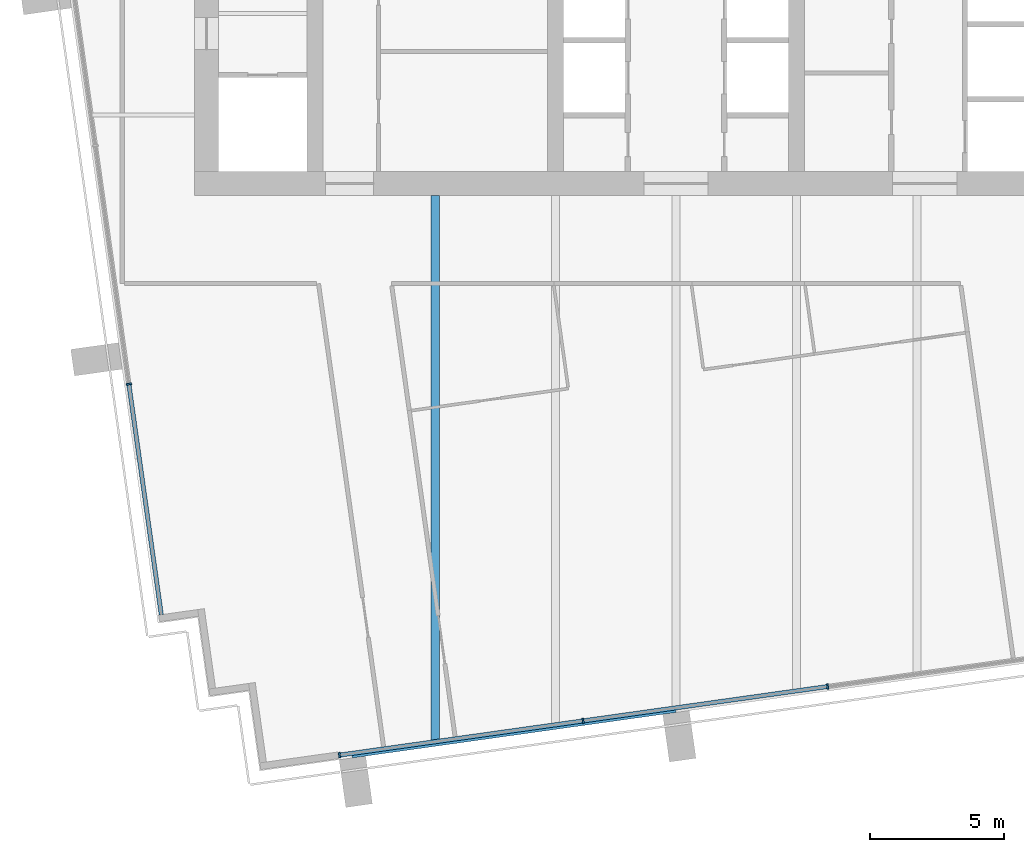
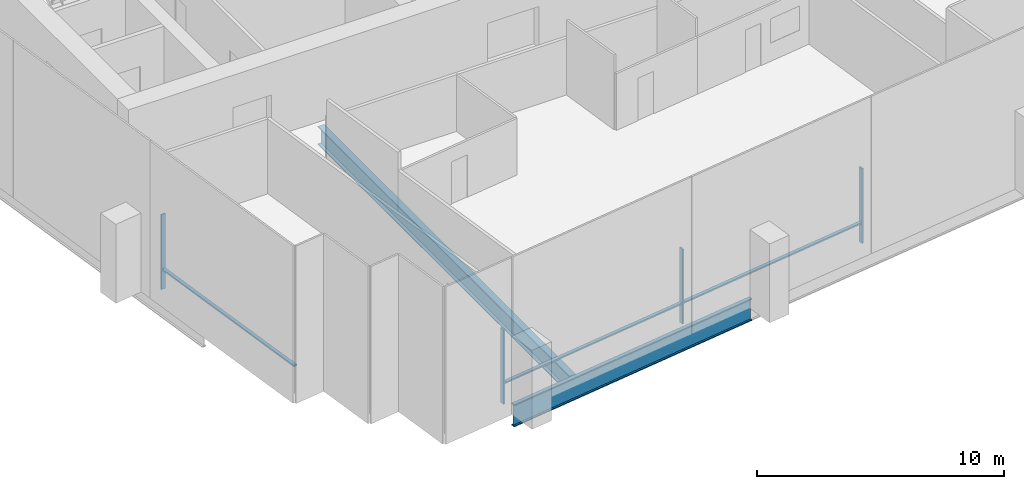
# One storey, part 2 of 17: 7 members, 2 beams, 2 elements without a shape of their own.
"""IFC4 building model written with IfcOpenShell, lengths in metres."""

from ifc_helpers import new_model, si_unit, direction, frame, origin, origin_2d, place, context, subcontext, project, spatial, rectangle, i_section, extrude, material, layer, layer_set, material_profile, profile_set, type_object, element, aggregate, save


model = new_model("IFC4")

# Units and contexts
model_context = context("Model", 3, precision=1e-05, world=origin(), true_north=direction((0.0, 1.0)))
body_context = subcontext(model_context, "Body", "Model", "MODEL_VIEW")
ifc_project = project(units=[si_unit("LENGTHUNIT", "METRE"), si_unit("AREAUNIT", "SQUARE_METRE"), si_unit("VOLUMEUNIT", "CUBIC_METRE"), si_unit("PLANEANGLEUNIT", "RADIAN"), si_unit("MASSUNIT", "GRAM", prefix="KILO")], contexts=[model_context])

# Site, building, storey
site_placement = place(None, origin())
site = spatial("IfcSite", under=ifc_project, at=site_placement, CompositionType="ELEMENT")
building_placement = place(site_placement, origin())
building = spatial("IfcBuilding", under=site, at=building_placement, Name="Rattan Terrace Tower", CompositionType="ELEMENT")
storey_placement = place(building_placement, frame((0.0, 0.0, 213.5)))
storey = spatial("IfcBuildingStorey", under=building, at=storey_placement, Name="L48", CompositionType="ELEMENT", Elevation=213.5)

# Beams
ifc_material_1 = material(Name="Steel S460", Category="steel")
ifc_material_profile_1 = material_profile(ifc_material_1, i_section(OverallWidth=0.179931640625, OverallDepth=1.10009765625, WebThickness=0.01611328125, FlangeThickness=0.050048828125, at=origin_2d()), Name="PG 1100x180-16-50")
ifc_profile_set_1 = profile_set([ifc_material_profile_1], Name="Steel S460")
beam_type_1 = type_object("IfcBeamType", Name="Frame edge girder PG 1100x180-16-50", PredefinedType="SPANDREL", material=ifc_profile_set_1)
beam_1_placement = place(storey_placement, frame((-12.10888671875, -28.43603515625, -0.75), z_axis=(0.990268332234, 0.139171226104, 0.0), x_axis=(-0.139171226104, 0.990268332234, 0.0)))
element("IfcBeam", 1, at=beam_1_placement, inside=storey, type_object=beam_type_1, Name="gdr-L48-001", PredefinedType="SPANDREL", context=body_context, shape_type="SweptSolid", body=[
    extrude(i_section(OverallWidth=0.179931640625, OverallDepth=1.10009765625, WebThickness=0.01611328125, FlangeThickness=0.050048828125, at=origin_2d()), origin(), (0.0, 0.0, 1.0), 12.21484375),
])
ifc_material_2 = material(Name="Steel S460", Category="steel")
ifc_material_profile_2 = material_profile(ifc_material_2, i_section(OverallWidth=0.300048828125, OverallDepth=0.89990234375, WebThickness=0.013916015625, FlangeThickness=0.035888671875, at=origin_2d()), Name="PG 900x300-14-36")
ifc_profile_set_2 = profile_set([ifc_material_profile_2], Name="Steel S460")
beam_type_2 = type_object("IfcBeamType", Name="Frame floor beam PG 900x300-14-36", PredefinedType="JOIST", material=ifc_profile_set_2)
beam_2_placement = place(storey_placement, frame((-9.0, -27.886962890625, -0.64990234375), z_axis=(0.0, 1.0, 0.0), x_axis=(-1.0, 0.0, 0.0)))
element("IfcBeam", 2, at=beam_2_placement, inside=storey, type_object=beam_type_2, Name="bm-L48-003", PredefinedType="JOIST", context=body_context, shape_type="SweptSolid", body=[
    extrude(i_section(OverallWidth=0.300048828125, OverallDepth=0.89990234375, WebThickness=0.013916015625, FlangeThickness=0.035888671875, at=origin_2d()), origin(), (0.0, 0.0, 1.0), 20.386962890625),
])

# Curtain wall, member
ifc_material_3 = material(Name="Aluminium and laminated glass", Category="aluminium")
ifc_layer = layer(ifc_material_3, 0.199951171875)
ifc_layer_set = layer_set([ifc_layer], Name="High-Zone Unitised Curtain Wall")
curtain_wall_type = type_object("IfcCurtainWallType", Name="High-Zone Unitised Curtain Wall", PredefinedType="NOTDEFINED", material=ifc_layer_set)
curtain_wall_1_placement = place(storey_placement, origin())
curtain_wall_1 = element("IfcCurtainWall", 3, at=curtain_wall_1_placement, inside=storey, type_object=curtain_wall_type, Name="High-zone curtain wall L48-3", PredefinedType="NOTDEFINED")
ifc_material_4 = material(Name="Aluminium", Category="aluminium")
ifc_material_profile_3 = material_profile(ifc_material_4, rectangle(XDim=0.070068359375, YDim=0.199951171875, at=origin_2d()), Name="Aluminium 70x200")
ifc_profile_set_3 = profile_set([ifc_material_profile_3], Name="Aluminium")
member_type_1 = type_object("IfcMemberType", Name="High-Zone CW Mullion 70x200", PredefinedType="MULLION", material=ifc_profile_set_3)
member_1_placement = place(storey_placement, frame((-20.452392578125, -14.551025390625, 0.0), z_axis=(0.0, 0.0, 1.0), x_axis=(0.139186165309, -0.990266232579, 0.0)))
member_1 = element("IfcMember", 4, at=member_1_placement, type_object=member_type_1, Name="Mullion cwl-L48-003.3", PredefinedType="MULLION", context=body_context, shape_type="SweptSolid", body=[
    extrude(rectangle(XDim=0.070068359375, YDim=0.199951171875, at=origin_2d()), origin(), (0.0, 0.0, 1.0), 3.699951171875),
])

# Curtain wall, members
curtain_wall_2_placement = place(storey_placement, origin())
curtain_wall_2 = element("IfcCurtainWall", 5, at=curtain_wall_2_placement, inside=storey, type_object=curtain_wall_type, Name="High-zone curtain wall L48-4", PredefinedType="NOTDEFINED")
member_2_placement = place(storey_placement, frame((-12.580078125, -28.4208984375, 0.0), z_axis=(0.0, 0.0, 1.0), x_axis=(0.990267457022, 0.139177453499, 0.0)))
member_2 = element("IfcMember", 6, at=member_2_placement, type_object=member_type_1, Name="Mullion cwl-L48-004.1", PredefinedType="MULLION", context=body_context, shape_type="SweptSolid", body=[
    extrude(rectangle(XDim=0.070068359375, YDim=0.199951171875, at=origin_2d()), origin(), (0.0, 0.0, 1.0), 3.699951171875),
])
member_3_placement = place(storey_placement, frame((-3.473388671875, -27.140869140625, 0.0), z_axis=(0.0, 0.0, 1.0), x_axis=(0.990267457022, 0.139177453499, 0.0)))
member_3 = element("IfcMember", 7, at=member_3_placement, type_object=member_type_1, Name="Mullion cwl-L48-004.2", PredefinedType="MULLION", context=body_context, shape_type="SweptSolid", body=[
    extrude(rectangle(XDim=0.070068359375, YDim=0.199951171875, at=origin_2d()), origin(), (0.0, 0.0, 1.0), 3.699951171875),
])
member_4_placement = place(storey_placement, frame((5.667724609375, -25.856201171875, 0.0), z_axis=(0.0, 0.0, 1.0), x_axis=(0.990267457022, 0.139177453499, 0.0)))
member_4 = element("IfcMember", 8, at=member_4_placement, type_object=member_type_1, Name="Mullion cwl-L48-004.3", PredefinedType="MULLION", context=body_context, shape_type="SweptSolid", body=[
    extrude(rectangle(XDim=0.070068359375, YDim=0.199951171875, at=origin_2d()), origin(), (0.0, 0.0, 1.0), 3.699951171875),
])

# Member
ifc_material_5 = material(Name="Aluminium", Category="aluminium")
ifc_material_profile_4 = material_profile(ifc_material_5, rectangle(XDim=0.159912109375, YDim=0.070068359375, at=origin_2d()), Name="Aluminium 160x70")
ifc_profile_set_4 = profile_set([ifc_material_profile_4], Name="Aluminium")
member_type_2 = type_object("IfcMemberType", Name="High-Zone CW Transom 160x70", PredefinedType="USERDEFINED", material=ifc_profile_set_4)
member_5_placement = place(storey_placement, frame((-20.447509765625, -14.585693359375, 1.0), z_axis=(0.139193563319, -0.990265192729, 0.0), x_axis=(0.990265192729, 0.139193563319, 0.0)))
member_5 = element("IfcMember", 9, at=member_5_placement, type_object=member_type_2, Name="Transom cwl-L48-003.3", ObjectType="TRANSOM", PredefinedType="USERDEFINED", context=body_context, shape_type="SweptSolid", body=[
    extrude(rectangle(XDim=0.159912109375, YDim=0.070068359375, at=origin_2d()), origin(), (0.0, 0.0, 1.0), 8.669921875),
])

aggregate(curtain_wall_1, [member_1, member_5])

member_6_placement = place(storey_placement, frame((-12.54541015625, -28.416015625, 1.0), z_axis=(0.990265856778, 0.139188838988, 0.0), x_axis=(-0.139188838988, 0.990265856778, 0.0)))
member_6 = element("IfcMember", 10, at=member_6_placement, type_object=member_type_2, Name="Transom cwl-L48-004.1", ObjectType="TRANSOM", PredefinedType="USERDEFINED", context=body_context, shape_type="SweptSolid", body=[
    extrude(rectangle(XDim=0.159912109375, YDim=0.070068359375, at=origin_2d()), origin(), (0.0, 0.0, 1.0), 9.126220703125),
])

member_7_placement = place(storey_placement, frame((-3.438720703125, -27.135986328125, 1.0), z_axis=(0.990268863305, 0.13916744723, 0.0), x_axis=(-0.13916744723, 0.990268863305, 0.0)))
member_7 = element("IfcMember", 11, at=member_7_placement, type_object=member_type_2, Name="Transom cwl-L48-004.2", ObjectType="TRANSOM", PredefinedType="USERDEFINED", context=body_context, shape_type="SweptSolid", body=[
    extrude(rectangle(XDim=0.159912109375, YDim=0.070068359375, at=origin_2d()), origin(), (0.0, 0.0, 1.0), 9.160888671875),
])

aggregate(curtain_wall_2, [member_2, member_3, member_4, member_6, member_7])

save(model, "model.ifc")
